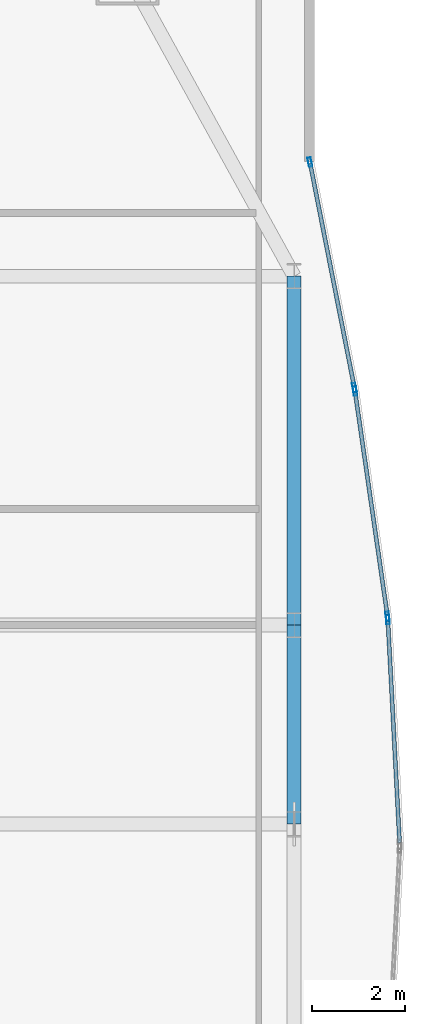
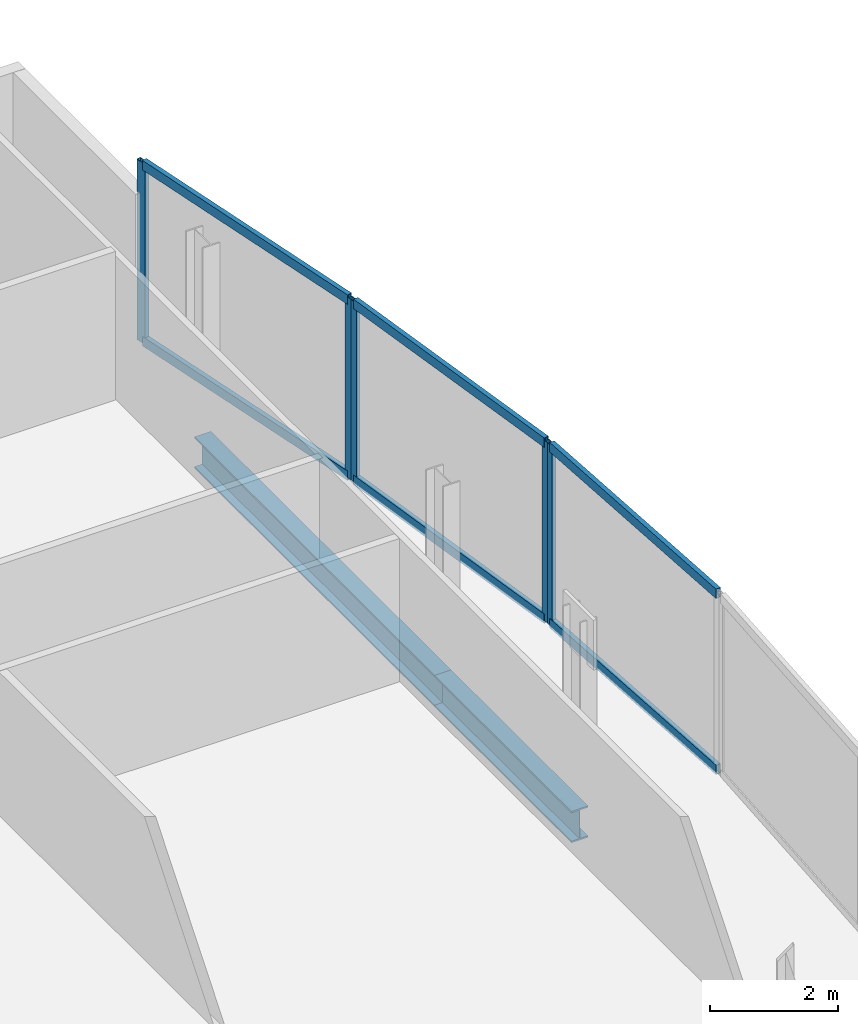
# One storey, part 22 of 29: 11 members, 2 beams, 3 elements without a shape of their own.
"""IFC4 building model written with IfcOpenShell, lengths in metres."""

from ifc_helpers import new_model, si_unit, direction, frame, origin, origin_2d, place, context, subcontext, project, spatial, hollow_rectangle, i_section, extrude, material, material_profile, profile_set, type_object, element, aggregate, save


model = new_model("IFC4")

# Units and contexts
model_context = context("Model", 3, precision=1e-05, world=origin(), true_north=direction((0.0, 1.0)))
body_context = subcontext(model_context, "Body", "Model", "MODEL_VIEW")
ifc_project = project(units=[si_unit("LENGTHUNIT", "METRE"), si_unit("AREAUNIT", "SQUARE_METRE"), si_unit("VOLUMEUNIT", "CUBIC_METRE"), si_unit("PLANEANGLEUNIT", "RADIAN"), si_unit("MASSUNIT", "GRAM", prefix="KILO")], contexts=[model_context])

# Site, building, storey
site_placement = place(None, origin())
site = spatial("IfcSite", under=ifc_project, at=site_placement, CompositionType="ELEMENT")
building_placement = place(site_placement, origin())
building = spatial("IfcBuilding", under=site, at=building_placement, Name="Khoronbel Lancet Exchange", CompositionType="ELEMENT")
storey_placement = place(building_placement, frame((0.0, 0.0, 154.199951171875)))
storey = spatial("IfcBuildingStorey", under=building, at=storey_placement, Name="L38", CompositionType="ELEMENT", Elevation=154.199951171875)

# Beams
ifc_material_1 = material(Name="Steel S355", Category="steel")
ifc_material_profile_1 = material_profile(ifc_material_1, i_section(OverallWidth=0.300048828125, OverallDepth=0.60009765625, WebThickness=0.015380859375, FlangeThickness=0.030029296875, at=origin_2d()), Name="HEB 600")
ifc_profile_set_1 = profile_set([ifc_material_profile_1], Name="Steel S355")
beam_type = type_object("IfcBeamType", Name="BM-BSP2", PredefinedType="SPANDREL", material=ifc_profile_set_1)
beam_1_placement = place(storey_placement, frame((67.6298828125, 31.425048828125, -0.4599609375), z_axis=(0.0, 1.0, 0.0), x_axis=(-1.0, 0.0, 0.0)))
element("IfcBeam", 1, at=beam_1_placement, inside=storey, type_object=beam_type, Name="Level L38 perimeter spandrel beam SP13", PredefinedType="SPANDREL", context=body_context, shape_type="SweptSolid", body=[
    extrude(i_section(OverallWidth=0.300048828125, OverallDepth=0.60009765625, WebThickness=0.015380859375, FlangeThickness=0.030029296875, at=origin_2d()), origin(), (0.0, 0.0, 1.0), 4.27490234375),
])
beam_2_placement = place(storey_placement, frame((67.6298828125, 35.699951171875, -0.4599609375), z_axis=(0.0, 1.0, 0.0), x_axis=(-1.0, 0.0, 0.0)))
element("IfcBeam", 2, at=beam_2_placement, inside=storey, type_object=beam_type, Name="Level L38 perimeter spandrel beam SP14", PredefinedType="SPANDREL", context=body_context, shape_type="SweptSolid", body=[
    extrude(i_section(OverallWidth=0.300048828125, OverallDepth=0.60009765625, WebThickness=0.015380859375, FlangeThickness=0.030029296875, at=origin_2d()), origin(), (0.0, 0.0, 1.0), 7.5),
])

# Curtain wall, members
ifc_material_2 = material(Name="Low-E Solar Control Insulating Glass", Category="glass")
curtain_wall_type = type_object("IfcCurtainWallType", Name="CW-4", PredefinedType="NOTDEFINED", material=ifc_material_2)
curtain_wall_1_placement = place(storey_placement, origin())
curtain_wall_1 = element("IfcCurtainWall", 3, at=curtain_wall_1_placement, inside=storey, type_object=curtain_wall_type, Name="Unitised curtain wall CW-L38-E17", PredefinedType="NOTDEFINED")
ifc_material_3 = material(Name="Bronze-Anodised Aluminium 6063-T6", Category="aluminium")
ifc_material_profile_2 = material_profile(ifc_material_3, hollow_rectangle(XDim=0.074951171875, YDim=0.199951171875, WallThickness=0.0048828125, at=origin_2d()), Name="ALU MULLION 75x200")
ifc_profile_set_2 = profile_set([ifc_material_profile_2], Name="Bronze-Anodised Aluminium 6063-T6")
member_type_1 = type_object("IfcMemberType", Name="MEM-CWM2", PredefinedType="MULLION", material=ifc_profile_set_2)
member_1_placement = place(storey_placement, frame((67.96728515625, 45.654296875, 0.0), z_axis=(0.0, 0.0, 1.0), x_axis=(0.981091608053, 0.193543939735, 0.0)))
member_1 = element("IfcMember", 4, at=member_1_placement, type_object=member_type_1, Name="CW4 mullion 1", PredefinedType="MULLION", context=body_context, shape_type="SweptSolid", body=[
    extrude(hollow_rectangle(XDim=0.074951171875, YDim=0.199951171875, WallThickness=0.0048828125, at=origin_2d()), origin(), (0.0, 0.0, 1.0), 3.43994140625),
])
member_2_placement = place(storey_placement, frame((68.923828125, 40.804931640625, 0.0), z_axis=(0.0, 0.0, 1.0), x_axis=(0.981091608053, 0.193543939735, 0.0)))
member_2 = element("IfcMember", 5, at=member_2_placement, type_object=member_type_1, Name="CW4 mullion 2", PredefinedType="MULLION", context=body_context, shape_type="SweptSolid", body=[
    extrude(hollow_rectangle(XDim=0.074951171875, YDim=0.199951171875, WallThickness=0.0048828125, at=origin_2d()), origin(), (0.0, 0.0, 1.0), 3.43994140625),
])

curtain_wall_2_placement = place(storey_placement, origin())
curtain_wall_2 = element("IfcCurtainWall", 6, at=curtain_wall_2_placement, inside=storey, type_object=curtain_wall_type, Name="Unitised curtain wall CW-L38-E18", PredefinedType="NOTDEFINED")
member_3_placement = place(storey_placement, frame((68.9365234375, 40.73095703125, 0.0), z_axis=(0.0, 0.0, 1.0), x_axis=(0.989732666103, 0.142930926147, 0.0)))
member_3 = element("IfcMember", 7, at=member_3_placement, type_object=member_type_1, Name="CW4 mullion 1", PredefinedType="MULLION", context=body_context, shape_type="SweptSolid", body=[
    extrude(hollow_rectangle(XDim=0.074951171875, YDim=0.199951171875, WallThickness=0.0048828125, at=origin_2d()), origin(), (0.0, 0.0, 1.0), 3.43994140625),
])
member_4_placement = place(storey_placement, frame((69.635009765625, 35.89501953125, 0.0), z_axis=(0.0, 0.0, 1.0), x_axis=(0.989732666103, 0.142930926147, 0.0)))
member_4 = element("IfcMember", 8, at=member_4_placement, type_object=member_type_1, Name="CW4 mullion 2", PredefinedType="MULLION", context=body_context, shape_type="SweptSolid", body=[
    extrude(hollow_rectangle(XDim=0.074951171875, YDim=0.199951171875, WallThickness=0.0048828125, at=origin_2d()), origin(), (0.0, 0.0, 1.0), 3.43994140625),
])

# Curtain wall, member
curtain_wall_3_placement = place(storey_placement, origin())
curtain_wall_3 = element("IfcCurtainWall", 9, at=curtain_wall_3_placement, inside=storey, type_object=curtain_wall_type, Name="Unitised curtain wall CW-L38-E19", PredefinedType="NOTDEFINED")
member_5_placement = place(storey_placement, frame((69.642333984375, 35.820556640625, 0.0), z_axis=(0.0, 0.0, 1.0), x_axis=(0.998605097412, 0.052800183936, 0.0)))
member_5 = element("IfcMember", 10, at=member_5_placement, type_object=member_type_1, Name="CW4 mullion 1", PredefinedType="MULLION", context=body_context, shape_type="SweptSolid", body=[
    extrude(hollow_rectangle(XDim=0.074951171875, YDim=0.199951171875, WallThickness=0.0048828125, at=origin_2d()), origin(), (0.0, 0.0, 1.0), 3.43994140625),
])

# Member
ifc_material_profile_3 = material_profile(ifc_material_3, hollow_rectangle(XDim=0.0849609375, YDim=0.179931640625, WallThickness=0.0048828125, at=origin_2d()), Name="ALU TRANSOM 85x180")
ifc_profile_set_3 = profile_set([ifc_material_profile_3], Name="Bronze-Anodised Aluminium 6063-T6")
member_type_2 = type_object("IfcMemberType", Name="MEM-CWT1", PredefinedType="USERDEFINED", material=ifc_profile_set_3)
member_6_placement = place(storey_placement, frame((67.974609375, 45.61767578125, 0.04248046875), z_axis=(0.193540296935, -0.981092326676, 0.0), x_axis=(0.981092326676, 0.193540296935, 0.0)))
member_6 = element("IfcMember", 11, at=member_6_placement, type_object=member_type_2, Name="CW4 transom 1.1", ObjectType="TRANSOM", PredefinedType="USERDEFINED", context=body_context, shape_type="SweptSolid", body=[
    extrude(hollow_rectangle(XDim=0.0849609375, YDim=0.179931640625, WallThickness=0.0048828125, at=origin_2d()), origin(), (0.0, 0.0, 1.0), 4.867919921875),
])

member_7_placement = place(storey_placement, frame((67.974609375, 45.61767578125, 3.3974609375), z_axis=(0.193540296935, -0.981092326676, 0.0), x_axis=(0.981092326676, 0.193540296935, 0.0)))
member_7 = element("IfcMember", 12, at=member_7_placement, type_object=member_type_2, Name="CW4 transom 1.2", ObjectType="TRANSOM", PredefinedType="USERDEFINED", context=body_context, shape_type="SweptSolid", body=[
    extrude(hollow_rectangle(XDim=0.0849609375, YDim=0.179931640625, WallThickness=0.0048828125, at=origin_2d()), origin(), (0.0, 0.0, 1.0), 4.867919921875),
])

aggregate(curtain_wall_1, [member_1, member_2, member_6, member_7])

member_8_placement = place(storey_placement, frame((68.94189453125, 40.69384765625, 0.04248046875), z_axis=(0.142948611833, -0.989730111887, 0.0), x_axis=(0.989730111887, 0.142948611833, 0.0)))
member_8 = element("IfcMember", 13, at=member_8_placement, type_object=member_type_2, Name="CW4 transom 1.1", ObjectType="TRANSOM", PredefinedType="USERDEFINED", context=body_context, shape_type="SweptSolid", body=[
    extrude(hollow_rectangle(XDim=0.0849609375, YDim=0.179931640625, WallThickness=0.0048828125, at=origin_2d()), origin(), (0.0, 0.0, 1.0), 4.81103515625),
])

member_9_placement = place(storey_placement, frame((68.94189453125, 40.69384765625, 3.3974609375), z_axis=(0.142948611833, -0.989730111887, 0.0), x_axis=(0.989730111887, 0.142948611833, 0.0)))
member_9 = element("IfcMember", 14, at=member_9_placement, type_object=member_type_2, Name="CW4 transom 1.2", ObjectType="TRANSOM", PredefinedType="USERDEFINED", context=body_context, shape_type="SweptSolid", body=[
    extrude(hollow_rectangle(XDim=0.0849609375, YDim=0.179931640625, WallThickness=0.0048828125, at=origin_2d()), origin(), (0.0, 0.0, 1.0), 4.81103515625),
])

aggregate(curtain_wall_2, [member_3, member_4, member_8, member_9])

member_10_placement = place(storey_placement, frame((69.644287109375, 35.782958984375, 0.04248046875), z_axis=(0.05277667046, -0.998606340384, 0.0), x_axis=(0.998606340384, 0.05277667046, 0.0)))
member_10 = element("IfcMember", 15, at=member_10_placement, type_object=member_type_2, Name="CW4 transom 1.1", ObjectType="TRANSOM", PredefinedType="USERDEFINED", context=body_context, shape_type="SweptSolid", body=[
    extrude(hollow_rectangle(XDim=0.0849609375, YDim=0.179931640625, WallThickness=0.0048828125, at=origin_2d()), origin(), (0.0, 0.0, 1.0), 4.7646484375),
])

member_11_placement = place(storey_placement, frame((69.644287109375, 35.782958984375, 3.3974609375), z_axis=(0.05277667046, -0.998606340384, 0.0), x_axis=(0.998606340384, 0.05277667046, 0.0)))
member_11 = element("IfcMember", 16, at=member_11_placement, type_object=member_type_2, Name="CW4 transom 1.2", ObjectType="TRANSOM", PredefinedType="USERDEFINED", context=body_context, shape_type="SweptSolid", body=[
    extrude(hollow_rectangle(XDim=0.0849609375, YDim=0.179931640625, WallThickness=0.0048828125, at=origin_2d()), origin(), (0.0, 0.0, 1.0), 4.7646484375),
])

aggregate(curtain_wall_3, [member_5, member_10, member_11])

save(model, "model.ifc")
